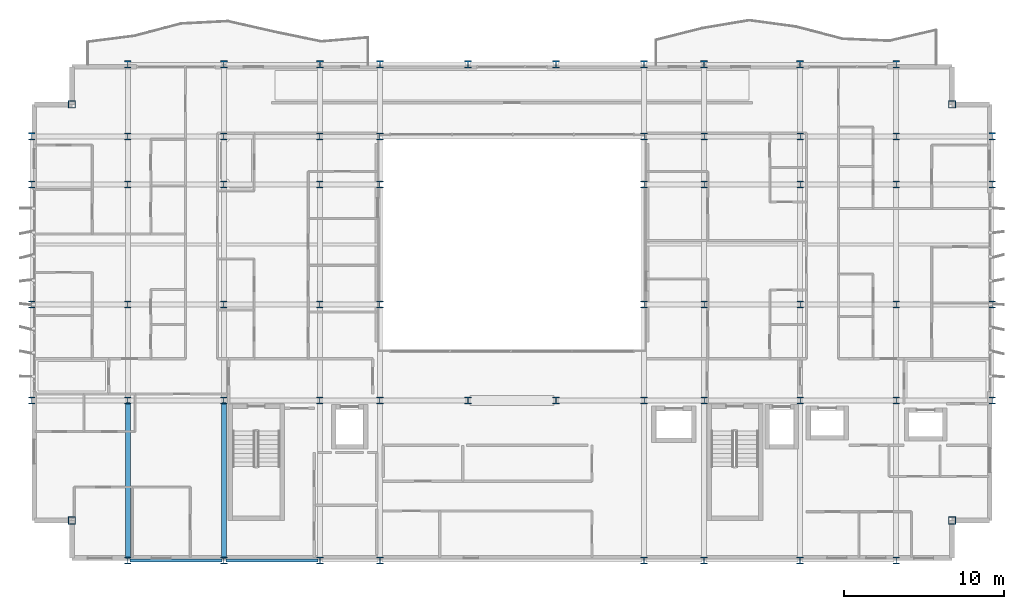
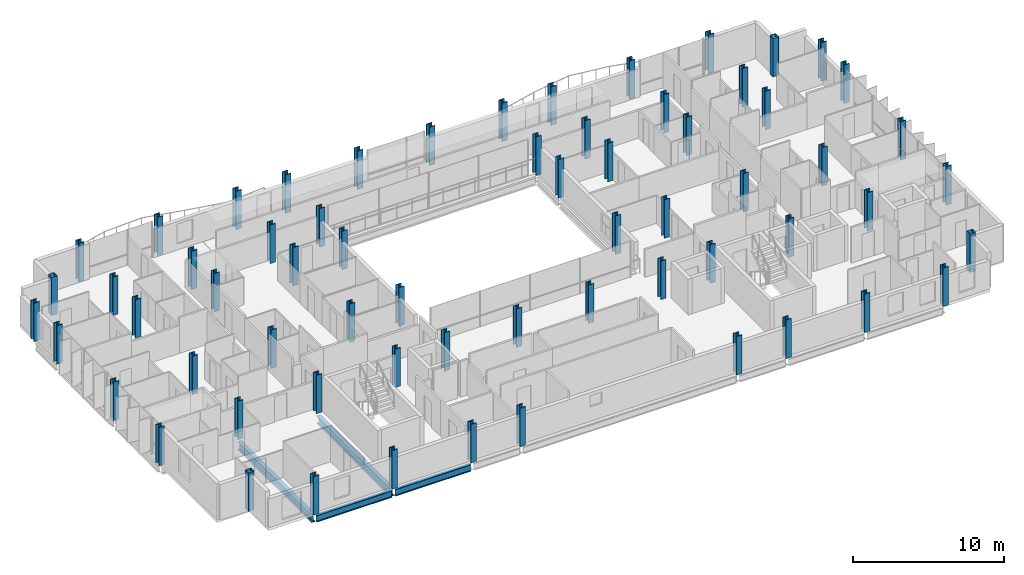
# One storey, part 1 of 38: 64 columns, 4 beams.
"""IFC4 building model written with IfcOpenShell, lengths in metres."""

from ifc_helpers import new_model, si_unit, direction, frame, origin, origin_2d, place, context, subcontext, project, spatial, hollow_rectangle, i_section, extrude, material, material_profile, profile_set, type_object, element, save


model = new_model("IFC4")

# Units and contexts
model_context = context("Model", 3, precision=1e-05, world=origin(), true_north=direction((0.0, 1.0)))
body_context = subcontext(model_context, "Body", "Model", "MODEL_VIEW")
ifc_project = project(units=[si_unit("LENGTHUNIT", "METRE"), si_unit("AREAUNIT", "SQUARE_METRE"), si_unit("VOLUMEUNIT", "CUBIC_METRE"), si_unit("PLANEANGLEUNIT", "RADIAN"), si_unit("MASSUNIT", "GRAM", prefix="KILO")], contexts=[model_context])

# Site, building, storey
site_placement = place(None, origin())
site = spatial("IfcSite", under=ifc_project, at=site_placement, CompositionType="ELEMENT")
building_placement = place(site_placement, origin())
building = spatial("IfcBuilding", under=site, at=building_placement, Name="Brevholm Reach", CompositionType="ELEMENT")
storey_placement = place(building_placement, frame((0.0, 0.0, 65.199951171875)))
storey = spatial("IfcBuildingStorey", under=building, at=storey_placement, Name="L18", CompositionType="ELEMENT", Elevation=65.199951171875)

# Columns
ifc_material_1 = material(Name="Structural Steel S460NH", Category="steel")
ifc_material_profile_1 = material_profile(ifc_material_1, hollow_rectangle(XDim=0.449951171875, YDim=0.449951171875, WallThickness=0.02490234375, InnerFilletRadius=0.011962890625, OuterFilletRadius=0.02392578125, at=origin_2d()), Name="SHS 450x450x25")
ifc_profile_set_1 = profile_set([ifc_material_profile_1], Name="Structural Steel S460NH")
column_type_1 = type_object("IfcColumnType", Name="COL-SHS1", PredefinedType="COLUMN", material=ifc_profile_set_1)
for number, where, z_axis, x_axis, name in (
    (1, (2.5, 2.5, 0.0), (0.0, 0.0, 1.0), (1.0, 0.0, 0.0), "L18 Column 05"),
    (2, (2.5, 28.5, 0.0), (0.0, 0.0, 1.0), (1.0, 0.0, 0.0), "L18 Column 06"),
    (3, (57.5, 2.5, 0.0), (0.0, 0.0, 1.0), (1.0, 0.0, 0.0), "L18 Column 59"),
    (4, (57.5, 28.5, 0.0), (0.0, 0.0, 1.0), (1.0, 0.0, 0.0), "L18 Column 60"),
):
    element("IfcColumn", number, at=place(storey_placement, frame(where, z_axis=z_axis, x_axis=x_axis)), inside=storey, type_object=column_type_1, Name=name, PredefinedType="COLUMN", context=body_context, shape_type="SweptSolid", body=[
        extrude(hollow_rectangle(XDim=0.449951171875, YDim=0.449951171875, WallThickness=0.02490234375, InnerFilletRadius=0.011962890625, OuterFilletRadius=0.02392578125, at=origin_2d()), origin(), (0.0, 0.0, 1.0), 3.10009765625),
    ])
ifc_material_2 = material(Name="Structural Steel S460ML", Category="steel")
ifc_material_profile_2 = material_profile(ifc_material_2, i_section(OverallWidth=0.41845703125, OverallDepth=0.45556640625, WebThickness=0.0419921875, FlangeThickness=0.0673828125, FilletRadius=0.01513671875, at=origin_2d()), Name="UKC 356x406x551")
ifc_profile_set_2 = profile_set([ifc_material_profile_2], Name="Structural Steel S460ML")
column_type_2 = type_object("IfcColumnType", Name="COL-UC2", PredefinedType="COLUMN", material=ifc_profile_set_2)
for number, where, z_axis, x_axis, name in (
    (5, (0.0, 10.0, 0.0), (0.0, 0.0, 1.0), (1.0, 0.0, 0.0), "L18 Column 01"),
    (6, (0.0, 16.0, 0.0), (0.0, 0.0, 1.0), (1.0, 0.0, 0.0), "L18 Column 02"),
    (7, (0.0, 23.5, 0.0), (0.0, 0.0, 1.0), (1.0, 0.0, 0.0), "L18 Column 03"),
    (8, (0.0, 26.5, 0.0), (0.0, 0.0, 1.0), (1.0, 0.0, 0.0), "L18 Column 04"),
    (9, (6.0, 0.0, 0.0), (0.0, 0.0, 1.0), (1.0, 0.0, 0.0), "L18 Column 07"),
    (10, (6.0, 31.0, 0.0), (0.0, 0.0, 1.0), (1.0, 0.0, 0.0), "L18 Column 12"),
    (11, (12.0, 0.0, 0.0), (0.0, 0.0, 1.0), (1.0, 0.0, 0.0), "L18 Column 13"),
    (12, (12.0, 31.0, 0.0), (0.0, 0.0, 1.0), (1.0, 0.0, 0.0), "L18 Column 18"),
    (13, (18.0, 0.0, 0.0), (0.0, 0.0, 1.0), (1.0, 0.0, 0.0), "L18 Column 19"),
    (14, (18.0, 31.0, 0.0), (0.0, 0.0, 1.0), (1.0, 0.0, 0.0), "L18 Column 24"),
    (15, (21.75, 0.0, 0.0), (0.0, 0.0, 1.0), (1.0, 0.0, 0.0), "L18 Column 25"),
    (16, (21.75, 31.0, 0.0), (0.0, 0.0, 1.0), (1.0, 0.0, 0.0), "L18 Column 30"),
    (17, (27.25, 31.0, 0.0), (0.0, 0.0, 1.0), (1.0, 0.0, 0.0), "L18 Column 32"),
    (18, (32.75, 31.0, 0.0), (0.0, 0.0, 1.0), (1.0, 0.0, 0.0), "L18 Column 34"),
    (19, (38.25, 0.0, 0.0), (0.0, 0.0, 1.0), (1.0, 0.0, 0.0), "L18 Column 35"),
    (20, (38.25, 31.0, 0.0), (0.0, 0.0, 1.0), (1.0, 0.0, 0.0), "L18 Column 40"),
    (21, (42.0, 0.0, 0.0), (0.0, 0.0, 1.0), (1.0, 0.0, 0.0), "L18 Column 41"),
    (22, (42.0, 31.0, 0.0), (0.0, 0.0, 1.0), (1.0, 0.0, 0.0), "L18 Column 46"),
    (23, (48.0, 0.0, 0.0), (0.0, 0.0, 1.0), (1.0, 0.0, 0.0), "L18 Column 47"),
    (24, (48.0, 31.0, 0.0), (0.0, 0.0, 1.0), (1.0, 0.0, 0.0), "L18 Column 52"),
    (25, (54.0, 0.0, 0.0), (0.0, 0.0, 1.0), (1.0, 0.0, 0.0), "L18 Column 53"),
    (26, (54.0, 31.0, 0.0), (0.0, 0.0, 1.0), (1.0, 0.0, 0.0), "L18 Column 58"),
    (27, (60.0, 10.0, 0.0), (0.0, 0.0, 1.0), (1.0, 0.0, 0.0), "L18 Column 61"),
    (28, (60.0, 16.0, 0.0), (0.0, 0.0, 1.0), (1.0, 0.0, 0.0), "L18 Column 62"),
    (29, (60.0, 23.5, 0.0), (0.0, 0.0, 1.0), (1.0, 0.0, 0.0), "L18 Column 63"),
    (30, (60.0, 26.5, 0.0), (0.0, 0.0, 1.0), (1.0, 0.0, 0.0), "L18 Column 64"),
):
    element("IfcColumn", number, at=place(storey_placement, frame(where, z_axis=z_axis, x_axis=x_axis)), inside=storey, type_object=column_type_2, Name=name, PredefinedType="COLUMN", context=body_context, shape_type="SweptSolid", body=[
        extrude(i_section(OverallWidth=0.41845703125, OverallDepth=0.45556640625, WebThickness=0.0419921875, FlangeThickness=0.0673828125, FilletRadius=0.01513671875, at=origin_2d()), origin(), (0.0, 0.0, 1.0), 3.10009765625),
    ])
ifc_material_3 = material(Name="Structural Steel S460ML", Category="steel")
ifc_material_profile_3 = material_profile(ifc_material_3, i_section(OverallWidth=0.412109375, OverallDepth=0.4365234375, WebThickness=0.035888671875, FlangeThickness=0.05810546875, FilletRadius=0.01513671875, at=origin_2d()), Name="UKC 356x406x467")
ifc_profile_set_3 = profile_set([ifc_material_profile_3], Name="Structural Steel S460ML")
column_type_3 = type_object("IfcColumnType", Name="COL-UC3", PredefinedType="COLUMN", material=ifc_profile_set_3)
for number, where, z_axis, x_axis, name in (
    (31, (6.0, 10.0, 0.0), (0.0, 0.0, 1.0), (1.0, 0.0, 0.0), "L18 Column 08"),
    (32, (6.0, 16.0, 0.0), (0.0, 0.0, 1.0), (1.0, 0.0, 0.0), "L18 Column 09"),
    (33, (6.0, 23.5, 0.0), (0.0, 0.0, 1.0), (1.0, 0.0, 0.0), "L18 Column 10"),
    (34, (6.0, 26.5, 0.0), (0.0, 0.0, 1.0), (1.0, 0.0, 0.0), "L18 Column 11"),
    (35, (12.0, 10.0, 0.0), (0.0, 0.0, 1.0), (1.0, 0.0, 0.0), "L18 Column 14"),
    (36, (12.0, 16.0, 0.0), (0.0, 0.0, 1.0), (1.0, 0.0, 0.0), "L18 Column 15"),
    (37, (12.0, 23.5, 0.0), (0.0, 0.0, 1.0), (1.0, 0.0, 0.0), "L18 Column 16"),
    (38, (12.0, 26.5, 0.0), (0.0, 0.0, 1.0), (1.0, 0.0, 0.0), "L18 Column 17"),
    (39, (18.0, 10.0, 0.0), (0.0, 0.0, 1.0), (1.0, 0.0, 0.0), "L18 Column 20"),
    (40, (18.0, 16.0, 0.0), (0.0, 0.0, 1.0), (1.0, 0.0, 0.0), "L18 Column 21"),
    (41, (18.0, 23.5, 0.0), (0.0, 0.0, 1.0), (1.0, 0.0, 0.0), "L18 Column 22"),
    (42, (18.0, 26.5, 0.0), (0.0, 0.0, 1.0), (1.0, 0.0, 0.0), "L18 Column 23"),
    (43, (21.75, 10.0, 0.0), (0.0, 0.0, 1.0), (1.0, 0.0, 0.0), "L18 Column 26"),
    (44, (21.75, 16.0, 0.0), (0.0, 0.0, 1.0), (1.0, 0.0, 0.0), "L18 Column 27"),
    (45, (21.75, 23.5, 0.0), (0.0, 0.0, 1.0), (1.0, 0.0, 0.0), "L18 Column 28"),
    (46, (21.75, 26.5, 0.0), (0.0, 0.0, 1.0), (1.0, 0.0, 0.0), "L18 Column 29"),
    (47, (27.25, 10.0, 0.0), (0.0, 0.0, 1.0), (1.0, 0.0, 0.0), "L18 Column 31"),
    (48, (32.75, 10.0, 0.0), (0.0, 0.0, 1.0), (1.0, 0.0, 0.0), "L18 Column 33"),
    (49, (38.25, 10.0, 0.0), (0.0, 0.0, 1.0), (1.0, 0.0, 0.0), "L18 Column 36"),
    (50, (38.25, 16.0, 0.0), (0.0, 0.0, 1.0), (1.0, 0.0, 0.0), "L18 Column 37"),
    (51, (38.25, 23.5, 0.0), (0.0, 0.0, 1.0), (1.0, 0.0, 0.0), "L18 Column 38"),
    (52, (38.25, 26.5, 0.0), (0.0, 0.0, 1.0), (1.0, 0.0, 0.0), "L18 Column 39"),
    (53, (42.0, 10.0, 0.0), (0.0, 0.0, 1.0), (1.0, 0.0, 0.0), "L18 Column 42"),
    (54, (42.0, 16.0, 0.0), (0.0, 0.0, 1.0), (1.0, 0.0, 0.0), "L18 Column 43"),
    (55, (42.0, 23.5, 0.0), (0.0, 0.0, 1.0), (1.0, 0.0, 0.0), "L18 Column 44"),
    (56, (42.0, 26.5, 0.0), (0.0, 0.0, 1.0), (1.0, 0.0, 0.0), "L18 Column 45"),
    (57, (48.0, 10.0, 0.0), (0.0, 0.0, 1.0), (1.0, 0.0, 0.0), "L18 Column 48"),
    (58, (48.0, 16.0, 0.0), (0.0, 0.0, 1.0), (1.0, 0.0, 0.0), "L18 Column 49"),
    (59, (48.0, 23.5, 0.0), (0.0, 0.0, 1.0), (1.0, 0.0, 0.0), "L18 Column 50"),
    (60, (48.0, 26.5, 0.0), (0.0, 0.0, 1.0), (1.0, 0.0, 0.0), "L18 Column 51"),
    (61, (54.0, 10.0, 0.0), (0.0, 0.0, 1.0), (1.0, 0.0, 0.0), "L18 Column 54"),
    (62, (54.0, 16.0, 0.0), (0.0, 0.0, 1.0), (1.0, 0.0, 0.0), "L18 Column 55"),
    (63, (54.0, 23.5, 0.0), (0.0, 0.0, 1.0), (1.0, 0.0, 0.0), "L18 Column 56"),
    (64, (54.0, 26.5, 0.0), (0.0, 0.0, 1.0), (1.0, 0.0, 0.0), "L18 Column 57"),
):
    element("IfcColumn", number, at=place(storey_placement, frame(where, z_axis=z_axis, x_axis=x_axis)), inside=storey, type_object=column_type_3, Name=name, PredefinedType="COLUMN", context=body_context, shape_type="SweptSolid", body=[
        extrude(i_section(OverallWidth=0.412109375, OverallDepth=0.4365234375, WebThickness=0.035888671875, FlangeThickness=0.05810546875, FilletRadius=0.01513671875, at=origin_2d()), origin(), (0.0, 0.0, 1.0), 3.10009765625),
    ])

# Beams
ifc_material_4 = material(Name="Structural Steel S355J2", Category="steel")
ifc_material_profile_4 = material_profile(ifc_material_4, i_section(OverallWidth=0.210693359375, OverallDepth=0.53955078125, WebThickness=0.01171875, FlangeThickness=0.018798828125, FilletRadius=0.0126953125, at=origin_2d()), Name="UKB 533x210x109")
ifc_profile_set_4 = profile_set([ifc_material_profile_4], Name="Structural Steel S355J2")
beam_type_1 = type_object("IfcBeamType", Name="BM-SP539", PredefinedType="SPANDREL", material=ifc_profile_set_4)
for number, where, z_axis, x_axis, name in (
    (65, (6.1201171875, 0.0, -0.499755859375), (1.0, 0.0, 0.0), (0.0, 1.0, 0.0), "L18 SP-01B Framing Beam"),
    (66, (12.1201171875, 0.0, -0.499755859375), (1.0, 0.0, 0.0), (0.0, 1.0, 0.0), "L18 SP-01B Framing Beam"),
):
    element("IfcBeam", number, at=place(storey_placement, frame(where, z_axis=z_axis, x_axis=x_axis)), inside=storey, type_object=beam_type_1, Name=name, PredefinedType="SPANDREL", context=body_context, shape_type="SweptSolid", body=[
        extrude(i_section(OverallWidth=0.210693359375, OverallDepth=0.53955078125, WebThickness=0.01171875, FlangeThickness=0.018798828125, FilletRadius=0.0126953125, at=origin_2d()), origin(), (0.0, 0.0, 1.0), 5.759765625),
    ])
ifc_material_5 = material(Name="Structural Steel S355J2", Category="steel")
ifc_material_profile_5 = material_profile(ifc_material_5, i_section(OverallWidth=0.30712890625, OverallDepth=0.6201171875, WebThickness=0.01416015625, FlangeThickness=0.023681640625, FilletRadius=0.0166015625, at=origin_2d()), Name="UKB 610x305x179")
ifc_profile_set_5 = profile_set([ifc_material_profile_5], Name="Structural Steel S355J2")
beam_type_2 = type_object("IfcBeamType", Name="BM-UKB610H", PredefinedType="USERDEFINED", material=ifc_profile_set_5)
for number, where, z_axis, x_axis, name in (
    (67, (6.0, 0.1201171875, -0.5400390625), (0.0, 1.0, 0.0), (-1.0, 0.0, 0.0), "L18 G-06 Framing Beam"),
    (68, (12.0, 0.1201171875, -0.5400390625), (0.0, 1.0, 0.0), (-1.0, 0.0, 0.0), "L18 G-06 Framing Beam"),
):
    element("IfcBeam", number, at=place(storey_placement, frame(where, z_axis=z_axis, x_axis=x_axis)), inside=storey, type_object=beam_type_2, Name=name, ObjectType="GIRDER", PredefinedType="USERDEFINED", context=body_context, shape_type="SweptSolid", body=[
        extrude(i_section(OverallWidth=0.30712890625, OverallDepth=0.6201171875, WebThickness=0.01416015625, FlangeThickness=0.023681640625, FilletRadius=0.0166015625, at=origin_2d()), origin(), (0.0, 0.0, 1.0), 9.759765625),
    ])

save(model, "model.ifc")
